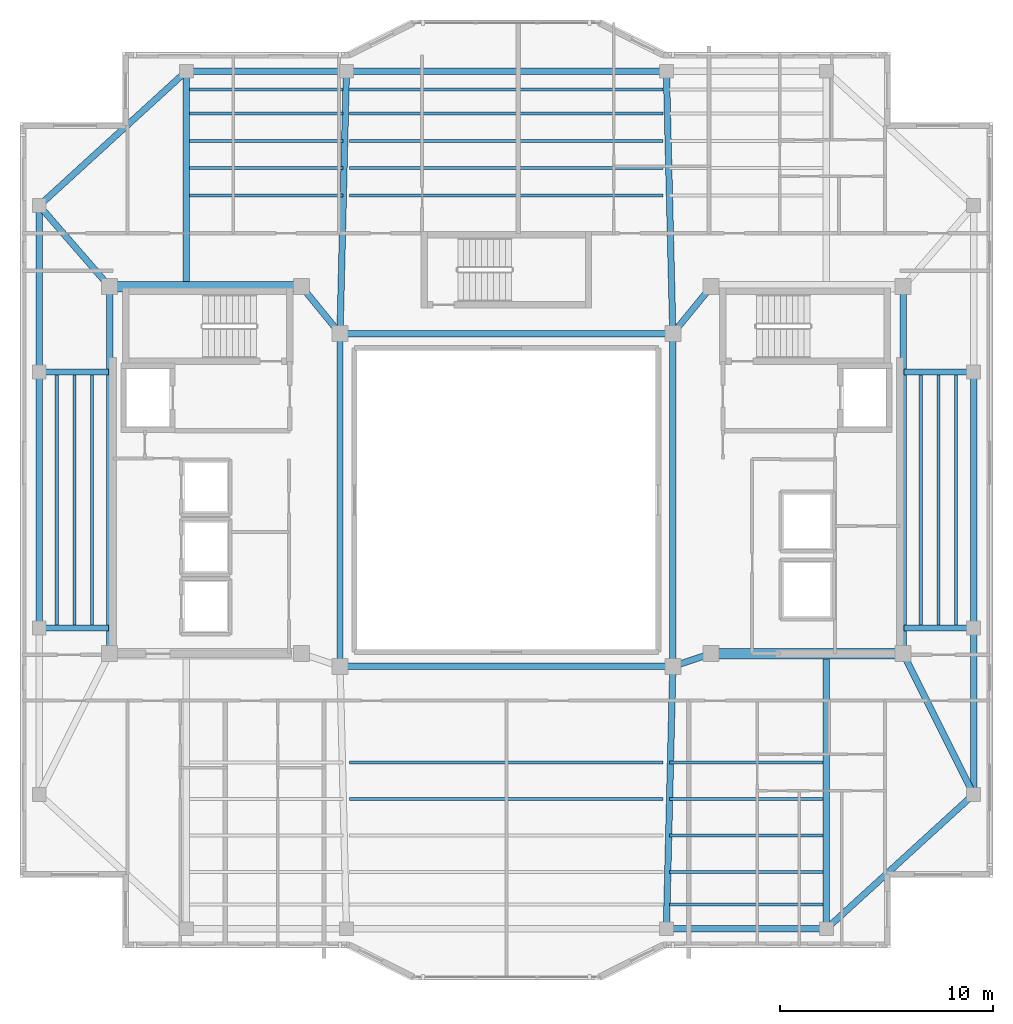
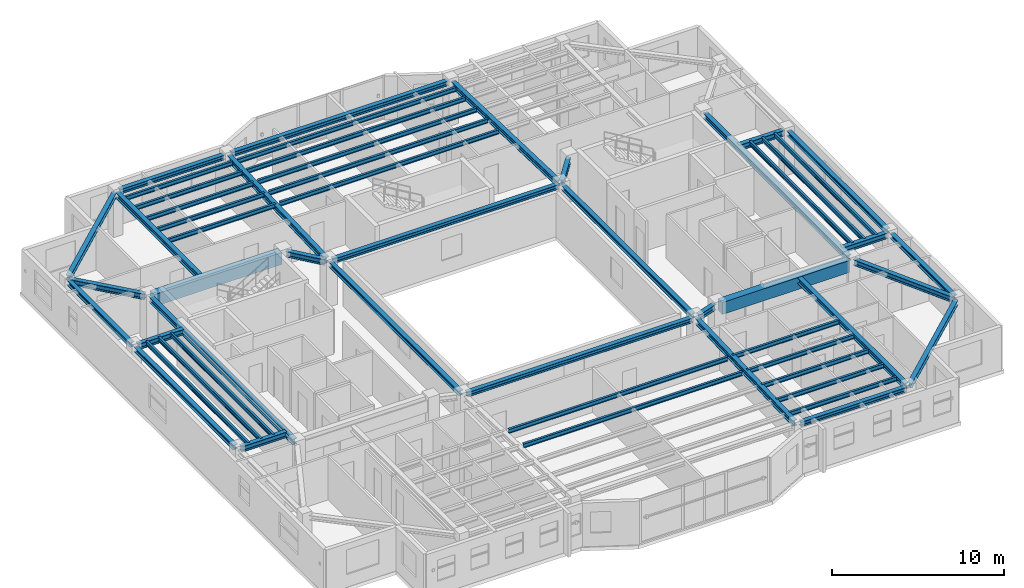
# One storey, part 3 of 14: 54 beams.
"""IFC4 building model written with IfcOpenShell, lengths in metres."""

import ifcopenshell
import ifcopenshell.guid

model = None  # the IFC model being written
_history = None  # IfcOwnerHistory: only IFC2X3 demands one
_inside = {}  # id of a spatial element -> (the spatial element, [elements in it])
_under = {}  # id of a project, library or spatial element -> (it, [spatial elements below it])
_declared = {}  # id of a project -> (the project, [libraries it declares])
_typed = {}  # id of a type object -> (the type object, [elements of that type])
_made_of = {}  # id of a material, layer set ... -> (it, [elements and type objects made of it])


def new_model(schema):
    """Start an empty IFC model of exactly this schema.

    Asked for "IFC4X3", IfcOpenShell would pick the latest addendum, in which some entities
    have other attributes; the version numbers below select the first issue.
    IFC2X3 requires an IfcOwnerHistory on every rooted entity: one is made here for all.
    """
    global model, _history
    if schema == "IFC4X3":
        model = ifcopenshell.file(schema_version=(4, 3, 0, 0))
    else:
        model = ifcopenshell.file(schema=schema)
    _inside.clear()
    _under.clear()
    _declared.clear()
    _typed.clear()
    _made_of.clear()
    _history = None
    if model.schema == "IFC2X3":
        org = make("IfcOrganization", Name="unknown")
        user = make(
            "IfcPersonAndOrganization",
            ThePerson=make("IfcPerson", FamilyName="unknown"),
            TheOrganization=org,
        )
        app = make(
            "IfcApplication",
            ApplicationDeveloper=org,
            Version="unknown",
            ApplicationFullName="unknown",
            ApplicationIdentifier="unknown",
        )
        _history = make(
            "IfcOwnerHistory",
            OwningUser=user,
            OwningApplication=app,
            ChangeAction="ADDED",
            CreationDate=0,
        )
    return model


def make(cls, **values):
    """One entity of the class cls with the attributes given. An attribute that is None is left unset."""
    return model.create_entity(
        cls, **{name: value for name, value in values.items() if value is not None}
    )


def rooted(cls, **values):
    """An entity with a GlobalId (a new one), such as an element, a storey or a relation."""
    return make(cls, GlobalId=ifcopenshell.guid.new(), OwnerHistory=_history, **values)


def si_unit(unit_type, name, prefix=None):
    """IfcSIUnit, for example si_unit("LENGTHUNIT", "METRE", prefix="MILLI")."""
    return make("IfcSIUnit", UnitType=unit_type, Prefix=prefix, Name=name)


def assignment(units):
    """IfcUnitAssignment: the units of a project."""
    return None if units is None else make("IfcUnitAssignment", Units=units)


def point(xyz):
    """IfcCartesianPoint."""
    return None if xyz is None else make("IfcCartesianPoint", Coordinates=xyz)


def direction(xyz):
    """IfcDirection."""
    return None if xyz is None else make("IfcDirection", DirectionRatios=xyz)


def frame(location, z_axis=None, x_axis=None):
    """IfcAxis2Placement3D, a coordinate frame: its origin and axes. An axis left out is left unset."""
    return make(
        "IfcAxis2Placement3D",
        Location=point(location),
        Axis=direction(z_axis),
        RefDirection=direction(x_axis),
    )


def frame_2d(location, x_axis=None):
    """IfcAxis2Placement2D, a coordinate frame in the plane: its origin and x axis."""
    return make(
        "IfcAxis2Placement2D", Location=point(location), RefDirection=direction(x_axis)
    )


def origin():
    """The frame at (0, 0, 0) with its axes left unset."""
    return frame((0.0, 0.0, 0.0))


def origin_2d():
    """The frame at (0, 0) in the plane with its x axis left unset."""
    return frame_2d((0.0, 0.0))


def place(relative_to, where):
    """IfcLocalPlacement: puts the frame where relative to a parent placement (None: the world)."""
    return make(
        "IfcLocalPlacement", PlacementRelTo=relative_to, RelativePlacement=where
    )


def context(
    kind, dimensions, precision=None, world=None, true_north=None, identifier=None
):
    """IfcGeometricRepresentationContext, for example the 3D "Model" context."""
    return make(
        "IfcGeometricRepresentationContext",
        ContextIdentifier=identifier,
        ContextType=kind,
        CoordinateSpaceDimension=dimensions,
        Precision=precision,
        WorldCoordinateSystem=world,
        TrueNorth=true_north,
    )


def subcontext(parent, identifier, kind, view, scale=None):
    """IfcGeometricRepresentationSubContext, for example "Body" below "Model"."""
    return make(
        "IfcGeometricRepresentationSubContext",
        ContextIdentifier=identifier,
        ContextType=kind,
        ParentContext=parent,
        TargetScale=scale,
        TargetView=view,
    )


def project(units=None, contexts=None):
    """IfcProject with its units and contexts."""
    return rooted(
        "IfcProject",
        Name="project",
        RepresentationContexts=contexts,
        UnitsInContext=assignment(units),
    )


def spatial(cls, under=None, at=None, **own):
    """A site, building, storey or space (cls), placed at a placement, below another one or the project."""
    s = rooted(cls, ObjectPlacement=at, **own)
    if under is not None:
        _under.setdefault(under.id(), (under, []))[1].append(s)
    return s


def profile(cls, at=None, kind="AREA", **sizes):
    """A parametric profile (cls). Its sizes go by their IFC names, for example OverallWidth=200.0."""
    return make(cls, ProfileType=kind, Position=at, **sizes)


def rectangle(**sizes):
    """IfcRectangleProfileDef."""
    return profile("IfcRectangleProfileDef", **sizes)


def i_section(**sizes):
    """IfcIShapeProfileDef."""
    return profile("IfcIShapeProfileDef", **sizes)


def extrude(swept, where, along, depth):
    """IfcExtrudedAreaSolid: the profile swept, set in the frame where, extruded along a direction by depth."""
    return make(
        "IfcExtrudedAreaSolid",
        SweptArea=swept,
        Position=where,
        ExtrudedDirection=direction(along),
        Depth=depth,
    )


def shape(context_of_items, identifier, shape_type, items):
    """IfcShapeRepresentation: the items that make up one representation, for example the "Body"."""
    return make(
        "IfcShapeRepresentation",
        ContextOfItems=context_of_items,
        RepresentationIdentifier=identifier,
        RepresentationType=shape_type,
        Items=items,
    )


def material(Name=None, Category=None):
    """IfcMaterial."""
    return make("IfcMaterial", Name=Name, Category=Category)


def material_profile(
    of_material, cross_section, Name=None, Category=None, Priority=None
):
    """IfcMaterialProfile: a cross section and its material."""
    return make(
        "IfcMaterialProfile",
        Name=Name,
        Material=of_material,
        Profile=cross_section,
        Priority=Priority,
        Category=Category,
    )


def profile_set(profiles, Name=None, composite=None):
    """IfcMaterialProfileSet."""
    return make(
        "IfcMaterialProfileSet",
        Name=Name,
        MaterialProfiles=profiles,
        CompositeProfile=composite,
    )


def made_of(thing, what):
    """Note that an element or type object is made of a material, layer set ...; save() writes the relation."""
    if what is not None:
        _made_of.setdefault(what.id(), (what, []))[1].append(thing)
    return thing


def type_object(cls, material=None, **own):
    """A type object (cls), such as IfcWallType, which elements share."""
    return made_of(rooted(cls, **own), material)


def element(
    cls,
    number,
    at=None,
    inside=None,
    cuts=None,
    type_object=None,
    material=None,
    context=None,
    identifier="Body",
    shape_type=None,
    held_by="IfcProductDefinitionShape",
    body=None,
    shapes=None,
    **own,
):
    """One element of the class cls, such as IfcWall. Its Tag is "e" and its number.

    at: its placement. inside: the storey or other place that contains it. cuts: it is an
    opening in that element (IfcRelVoidsElement). A single representation is given by context,
    identifier, shape_type and body (its items); several are given by shapes. held_by: the class
    of the entity that holds the representations. save() writes the other relations.
    """
    e = rooted(cls, Tag="e%d" % number, ObjectPlacement=at, **own)
    if body is not None:
        shapes = [shape(context, identifier, shape_type, body)]
    if shapes is not None:
        e.Representation = make(held_by, Representations=shapes)
    if inside is not None:
        _inside.setdefault(inside.id(), (inside, []))[1].append(e)
    if cuts is not None:
        rooted(
            "IfcRelVoidsElement", RelatingBuildingElement=cuts, RelatedOpeningElement=e
        )
    if type_object is not None:
        _typed.setdefault(type_object.id(), (type_object, []))[1].append(e)
    return made_of(e, material)


def aggregate(whole, parts):
    """IfcRelAggregates: a whole, such as a stair, and the parts it consists of."""
    return rooted("IfcRelAggregates", RelatingObject=whole, RelatedObjects=parts)


def save(model, path):
    """Write the relations noted so far, then the file.

    IfcRelAggregates (storeys below a building ...), IfcRelContainedInSpatialStructure (elements
    in a storey), IfcRelDefinesByType, IfcRelAssociatesMaterial and IfcRelDeclares: one each for
    every whole, place, type object, material and project.
    """
    for whole, parts in _under.values():
        aggregate(whole, parts)
    for where, things in _inside.values():
        rooted(
            "IfcRelContainedInSpatialStructure",
            RelatedElements=things,
            RelatingStructure=where,
        )
    for kind, things in _typed.values():
        rooted("IfcRelDefinesByType", RelatedObjects=things, RelatingType=kind)
    for what, things in _made_of.values():
        rooted("IfcRelAssociatesMaterial", RelatedObjects=things, RelatingMaterial=what)
    for by, libraries in _declared.values():
        rooted("IfcRelDeclares", RelatingContext=by, RelatedDefinitions=libraries)
    model.write(path)


model = new_model("IFC4")

# Units and contexts
model_context = context("Model", 3, precision=1e-05, world=origin(), true_north=direction((0.0, 1.0)))
body_context = subcontext(model_context, "Body", "Model", "MODEL_VIEW")
ifc_project = project(units=[si_unit("LENGTHUNIT", "METRE"), si_unit("AREAUNIT", "SQUARE_METRE"), si_unit("VOLUMEUNIT", "CUBIC_METRE"), si_unit("PLANEANGLEUNIT", "RADIAN"), si_unit("MASSUNIT", "GRAM", prefix="KILO")], contexts=[model_context])

# Site, building, storey
site_placement = place(None, origin())
site = spatial("IfcSite", under=ifc_project, at=site_placement, CompositionType="ELEMENT")
building_placement = place(site_placement, origin())
building = spatial("IfcBuilding", under=site, at=building_placement, Name="Tarnavaz Court Tower", CompositionType="ELEMENT")
storey_placement = place(building_placement, frame((0.0, 0.0, 254.89990234375)))
storey = spatial("IfcBuildingStorey", under=building, at=storey_placement, Name="L69", CompositionType="ELEMENT", Elevation=254.89990234375)

# Beams
ifc_material_1 = material(Name="Concrete C50/60", Category="concrete")
ifc_material_profile_1 = material_profile(ifc_material_1, rectangle(XDim=0.5, YDim=0.85009765625, at=origin_2d()), Name="RC 500X850")
ifc_profile_set_1 = profile_set([ifc_material_profile_1], Name="Concrete C50/60")
beam_type_1 = type_object("IfcBeamType", Name="BM-CB850", PredefinedType="LINTEL", material=ifc_profile_set_1)
for number, where, z_axis, x_axis, name in (
    (1, (-18.3798828125, 10.0, 2.675048828125), (1.0, 0.0, 0.0), (0.0, 1.0, 0.0), "L69 Beam IN-CW-NO-CW-NI"),
    (2, (18.3798828125, -7.199951171875, 2.675048828125), (-1.0, 0.0, 0.0), (0.0, -1.0, 0.0), "L69 Beam IN-CE-SO-CE-SI"),
):
    element("IfcBeam", number, at=place(storey_placement, frame(where, z_axis=z_axis, x_axis=x_axis)), inside=storey, type_object=beam_type_1, Name=name, PredefinedType="LINTEL", context=body_context, shape_type="SweptSolid", body=[
        extrude(rectangle(XDim=0.5, YDim=0.85009765625, at=origin_2d()), origin(), (0.0, 0.0, 1.0), 8.559814453125),
    ])
ifc_material_2 = material(Name="Steel S355", Category="steel")
ifc_material_profile_2 = material_profile(ifc_material_2, i_section(OverallWidth=0.300048828125, OverallDepth=0.39990234375, WebThickness=0.013427734375, FlangeThickness=0.02392578125, FilletRadius=0.027099609375, at=origin_2d()), Name="HEB 400")
ifc_profile_set_2 = profile_set([ifc_material_profile_2], Name="Steel S355")
beam_type_2 = type_object("IfcBeamType", Name="BM-G-HEB400", PredefinedType="USERDEFINED", material=ifc_profile_set_2)
beam_1_placement = place(storey_placement, frame((9.391357421875, -7.26953125, 2.900146484375), z_axis=(-0.948666544706, -0.316278021615, 0.0), x_axis=(0.316278021615, -0.948666544706, 0.0)))
element("IfcBeam", 3, at=beam_1_placement, inside=storey, type_object=beam_type_2, Name="L69 Beam IN-CE-SI-IW-SE", ObjectType="GIRDER", PredefinedType="USERDEFINED", context=body_context, shape_type="SweptSolid", body=[
    extrude(i_section(OverallWidth=0.300048828125, OverallDepth=0.39990234375, WebThickness=0.013427734375, FlangeThickness=0.02392578125, FilletRadius=0.027099609375, at=origin_2d()), origin(), (0.0, 0.0, 1.0), 1.457275390625),
])
for number, where, z_axis, x_axis, name in (
    (4, (-9.460693359375, 9.82958984375, 2.900146484375), (0.633282058357, -0.773921077735, 0.0), (0.773921077735, 0.633282058357, 0.0), "L69 Beam IN-CW-NI-IW-NW"),
    (5, (9.460693359375, 9.82958984375, 2.900146484375), (-0.633282058357, -0.773921077735, 0.0), (0.773921077735, -0.633282058357, 0.0), "L69 Beam IN-CE-NI-IW-NE"),
):
    element("IfcBeam", number, at=place(storey_placement, frame(where, z_axis=z_axis, x_axis=x_axis)), inside=storey, type_object=beam_type_2, Name=name, ObjectType="GIRDER", PredefinedType="USERDEFINED", context=body_context, shape_type="SweptSolid", body=[
        extrude(i_section(OverallWidth=0.300048828125, OverallDepth=0.39990234375, WebThickness=0.013427734375, FlangeThickness=0.02392578125, FilletRadius=0.027099609375, at=origin_2d()), origin(), (0.0, 0.0, 1.0), 2.402587890625),
    ])
for number, where, z_axis, x_axis, name in (
    (6, (-18.60009765625, -6.97998046875, 2.900146484375), (0.0, 1.0, 0.0), (-1.0, 0.0, 0.0), "L69 Beam IN-CW-SO-CW-NO"),
    (7, (18.60009765625, -6.97998046875, 2.900146484375), (0.0, 1.0, 0.0), (-1.0, 0.0, 0.0), "L69 Beam IN-CE-SO-CE-NO"),
):
    element("IfcBeam", number, at=place(storey_placement, frame(where, z_axis=z_axis, x_axis=x_axis)), inside=storey, type_object=beam_type_2, Name=name, ObjectType="GIRDER", PredefinedType="USERDEFINED", context=body_context, shape_type="SweptSolid", body=[
        extrude(i_section(OverallWidth=0.300048828125, OverallDepth=0.39990234375, WebThickness=0.013427734375, FlangeThickness=0.02392578125, FilletRadius=0.027099609375, at=origin_2d()), origin(), (0.0, 0.0, 1.0), 16.760009765625),
    ])
beam_2_placement = place(storey_placement, frame((-15.0, 10.0400390625, 2.900146484375), z_axis=(0.0, 1.0, 0.0), x_axis=(-1.0, 0.0, 0.0)))
element("IfcBeam", 8, at=beam_2_placement, inside=storey, type_object=beam_type_2, Name="L69 Beam RG-01", ObjectType="GIRDER", PredefinedType="USERDEFINED", context=body_context, shape_type="SweptSolid", body=[
    extrude(i_section(OverallWidth=0.300048828125, OverallDepth=0.39990234375, WebThickness=0.013427734375, FlangeThickness=0.02392578125, FilletRadius=0.027099609375, at=origin_2d()), origin(), (0.0, 0.0, 1.0), 9.83984375),
])
for number, where, z_axis, x_axis, name in (
    (9, (-7.794677734375, 8.02001953125, 2.900146484375), (0.024386002211, 0.99970261723, 0.0), (-0.99970261723, 0.024386002211, 0.0), "L69 Beam RG-02"),
    (10, (7.794677734375, 8.02001953125, 2.900146484375), (-0.024386002211, 0.99970261723, 0.0), (-0.99970261723, -0.024386002211, 0.0), "L69 Beam RG-03"),
    (11, (7.794677734375, -8.02001953125, 2.900146484375), (-0.024386002211, -0.99970261723, 0.0), (0.99970261723, -0.024386002211, 0.0), "L69 Beam RG-07"),
):
    element("IfcBeam", number, at=place(storey_placement, frame(where, z_axis=z_axis, x_axis=x_axis)), inside=storey, type_object=beam_type_2, Name=name, ObjectType="GIRDER", PredefinedType="USERDEFINED", context=body_context, shape_type="SweptSolid", body=[
        extrude(i_section(OverallWidth=0.300048828125, OverallDepth=0.39990234375, WebThickness=0.013427734375, FlangeThickness=0.02392578125, FilletRadius=0.027099609375, at=origin_2d()), origin(), (0.0, 0.0, 1.0), 11.863525390625),
    ])
beam_3_placement = place(storey_placement, frame((15.0, -7.239990234375, 2.900146484375), z_axis=(0.0, -1.0, 0.0), x_axis=(1.0, 0.0, 0.0)))
element("IfcBeam", 12, at=beam_3_placement, inside=storey, type_object=beam_type_2, Name="L69 Beam RG-08", ObjectType="GIRDER", PredefinedType="USERDEFINED", context=body_context, shape_type="SweptSolid", body=[
    extrude(i_section(OverallWidth=0.300048828125, OverallDepth=0.39990234375, WebThickness=0.013427734375, FlangeThickness=0.02392578125, FilletRadius=0.027099609375, at=origin_2d()), origin(), (0.0, 0.0, 1.0), 12.639892578125),
])
for number, where, z_axis, x_axis, name in (
    (13, (18.639892578125, -6.0, 2.900146484375), (1.0, 0.0, 0.0), (0.0, 1.0, 0.0), "L69 Beam RG-09"),
    (14, (18.639892578125, 6.0, 2.900146484375), (1.0, 0.0, 0.0), (0.0, 1.0, 0.0), "L69 Beam RG-10"),
):
    element("IfcBeam", number, at=place(storey_placement, frame(where, z_axis=z_axis, x_axis=x_axis)), inside=storey, type_object=beam_type_2, Name=name, ObjectType="GIRDER", PredefinedType="USERDEFINED", context=body_context, shape_type="SweptSolid", body=[
        extrude(i_section(OverallWidth=0.300048828125, OverallDepth=0.39990234375, WebThickness=0.013427734375, FlangeThickness=0.02392578125, FilletRadius=0.027099609375, at=origin_2d()), origin(), (0.0, 0.0, 1.0), 3.0400390625),
    ])
beam_4_placement = place(storey_placement, frame((18.698486328125, -7.396728515625, 2.900146484375), z_axis=(0.447185448279, -0.894441264057, 0.0), x_axis=(0.894441264057, 0.447185448279, 0.0)))
element("IfcBeam", 15, at=beam_4_placement, inside=storey, type_object=beam_type_2, Name="L69 Beam RG-11", ObjectType="GIRDER", PredefinedType="USERDEFINED", context=body_context, shape_type="SweptSolid", body=[
    extrude(i_section(OverallWidth=0.300048828125, OverallDepth=0.39990234375, WebThickness=0.013427734375, FlangeThickness=0.02392578125, FilletRadius=0.027099609375, at=origin_2d()), origin(), (0.0, 0.0, 1.0), 6.93896484375),
])
for number, where, z_axis, x_axis, name in (
    (16, (-18.639892578125, -6.0, 2.900146484375), (-1.0, 0.0, 0.0), (0.0, -1.0, 0.0), "L69 Beam RG-13"),
    (17, (-18.639892578125, 6.0, 2.900146484375), (-1.0, 0.0, 0.0), (0.0, -1.0, 0.0), "L69 Beam RG-14"),
):
    element("IfcBeam", number, at=place(storey_placement, frame(where, z_axis=z_axis, x_axis=x_axis)), inside=storey, type_object=beam_type_2, Name=name, ObjectType="GIRDER", PredefinedType="USERDEFINED", context=body_context, shape_type="SweptSolid", body=[
        extrude(i_section(OverallWidth=0.300048828125, OverallDepth=0.39990234375, WebThickness=0.013427734375, FlangeThickness=0.02392578125, FilletRadius=0.027099609375, at=origin_2d()), origin(), (0.0, 0.0, 1.0), 3.0400390625),
    ])
beam_5_placement = place(storey_placement, frame((-18.744384765625, 10.166015625, 2.900146484375), z_axis=(-0.65565475567, 0.755060819648, 0.0), x_axis=(-0.755060819648, -0.65565475567, 0.0)))
element("IfcBeam", 18, at=beam_5_placement, inside=storey, type_object=beam_type_2, Name="L69 Beam RG-16", ObjectType="GIRDER", PredefinedType="USERDEFINED", context=body_context, shape_type="SweptSolid", body=[
    extrude(i_section(OverallWidth=0.300048828125, OverallDepth=0.39990234375, WebThickness=0.013427734375, FlangeThickness=0.02392578125, FilletRadius=0.027099609375, at=origin_2d()), origin(), (0.0, 0.0, 1.0), 4.5927734375),
])
ifc_material_profile_3 = material_profile(ifc_material_2, i_section(OverallWidth=0.14990234375, OverallDepth=0.300048828125, WebThickness=0.007080078125, FlangeThickness=0.0107421875, FilletRadius=0.014892578125, at=origin_2d()), Name="IPE 300")
ifc_profile_set_3 = profile_set([ifc_material_profile_3], Name="Steel S355")
beam_type_3 = type_object("IfcBeamType", Name="BM-J-IPE300", PredefinedType="JOIST", material=ifc_profile_set_3)
beam_6_placement = place(storey_placement, frame((-14.85009765625, 14.278076171875, 2.9501953125), z_axis=(1.0, 0.0, 0.0), x_axis=(0.0, 1.0, 0.0)))
element("IfcBeam", 19, at=beam_6_placement, inside=storey, type_object=beam_type_3, Name="L69 Beam JN1-1", PredefinedType="JOIST", context=body_context, shape_type="SweptSolid", body=[
    extrude(i_section(OverallWidth=0.14990234375, OverallDepth=0.300048828125, WebThickness=0.007080078125, FlangeThickness=0.0107421875, FilletRadius=0.014892578125, at=origin_2d()), origin(), (0.0, 0.0, 1.0), 7.2001953125),
])
for number, where, z_axis, x_axis, name in (
    (20, (-7.35009765625, 14.278076171875, 2.9501953125), (1.0, 0.0, 0.0), (0.0, 1.0, 0.0), "L69 Beam JN1-2"),
    (21, (-7.35009765625, -12.31005859375, 2.9501953125), (1.0, 0.0, 0.0), (0.0, 1.0, 0.0), "L69 Beam JS1-2"),
):
    element("IfcBeam", number, at=place(storey_placement, frame(where, z_axis=z_axis, x_axis=x_axis)), inside=storey, type_object=beam_type_3, Name=name, PredefinedType="JOIST", context=body_context, shape_type="SweptSolid", body=[
        extrude(i_section(OverallWidth=0.14990234375, OverallDepth=0.300048828125, WebThickness=0.007080078125, FlangeThickness=0.0107421875, FilletRadius=0.014892578125, at=origin_2d()), origin(), (0.0, 0.0, 1.0), 14.7001953125),
    ])
for number, where, z_axis, x_axis, name in (
    (22, (7.64990234375, -12.31005859375, 2.9501953125), (1.0, 0.0, 0.0), (0.0, 1.0, 0.0), "L69 Beam JS1-3"),
    (23, (-14.85009765625, 15.555908203125, 2.9501953125), (1.0, 0.0, 0.0), (0.0, 1.0, 0.0), "L69 Beam JN2-1"),
):
    element("IfcBeam", number, at=place(storey_placement, frame(where, z_axis=z_axis, x_axis=x_axis)), inside=storey, type_object=beam_type_3, Name=name, PredefinedType="JOIST", context=body_context, shape_type="SweptSolid", body=[
        extrude(i_section(OverallWidth=0.14990234375, OverallDepth=0.300048828125, WebThickness=0.007080078125, FlangeThickness=0.0107421875, FilletRadius=0.014892578125, at=origin_2d()), origin(), (0.0, 0.0, 1.0), 7.2001953125),
    ])
for number, where, z_axis, x_axis, name in (
    (24, (-7.35009765625, 15.555908203125, 2.9501953125), (1.0, 0.0, 0.0), (0.0, 1.0, 0.0), "L69 Beam JN2-2"),
    (25, (-7.35009765625, -14.02001953125, 2.9501953125), (1.0, 0.0, 0.0), (0.0, 1.0, 0.0), "L69 Beam JS2-2"),
):
    element("IfcBeam", number, at=place(storey_placement, frame(where, z_axis=z_axis, x_axis=x_axis)), inside=storey, type_object=beam_type_3, Name=name, PredefinedType="JOIST", context=body_context, shape_type="SweptSolid", body=[
        extrude(i_section(OverallWidth=0.14990234375, OverallDepth=0.300048828125, WebThickness=0.007080078125, FlangeThickness=0.0107421875, FilletRadius=0.014892578125, at=origin_2d()), origin(), (0.0, 0.0, 1.0), 14.7001953125),
    ])
for number, where, z_axis, x_axis, name in (
    (26, (7.64990234375, -14.02001953125, 2.9501953125), (1.0, 0.0, 0.0), (0.0, 1.0, 0.0), "L69 Beam JS2-3"),
    (27, (-14.85009765625, 16.833984375, 2.9501953125), (1.0, 0.0, 0.0), (0.0, 1.0, 0.0), "L69 Beam JN3-1"),
):
    element("IfcBeam", number, at=place(storey_placement, frame(where, z_axis=z_axis, x_axis=x_axis)), inside=storey, type_object=beam_type_3, Name=name, PredefinedType="JOIST", context=body_context, shape_type="SweptSolid", body=[
        extrude(i_section(OverallWidth=0.14990234375, OverallDepth=0.300048828125, WebThickness=0.007080078125, FlangeThickness=0.0107421875, FilletRadius=0.014892578125, at=origin_2d()), origin(), (0.0, 0.0, 1.0), 7.2001953125),
    ])
beam_7_placement = place(storey_placement, frame((-7.35009765625, 16.833984375, 2.9501953125), z_axis=(1.0, 0.0, 0.0), x_axis=(0.0, 1.0, 0.0)))
element("IfcBeam", 28, at=beam_7_placement, inside=storey, type_object=beam_type_3, Name="L69 Beam JN3-2", PredefinedType="JOIST", context=body_context, shape_type="SweptSolid", body=[
    extrude(i_section(OverallWidth=0.14990234375, OverallDepth=0.300048828125, WebThickness=0.007080078125, FlangeThickness=0.0107421875, FilletRadius=0.014892578125, at=origin_2d()), origin(), (0.0, 0.0, 1.0), 14.7001953125),
])
for number, where, z_axis, x_axis, name in (
    (29, (7.64990234375, -15.72998046875, 2.9501953125), (1.0, 0.0, 0.0), (0.0, 1.0, 0.0), "L69 Beam JS3-3"),
    (30, (-14.85009765625, 18.112060546875, 2.9501953125), (1.0, 0.0, 0.0), (0.0, 1.0, 0.0), "L69 Beam JN4-1"),
):
    element("IfcBeam", number, at=place(storey_placement, frame(where, z_axis=z_axis, x_axis=x_axis)), inside=storey, type_object=beam_type_3, Name=name, PredefinedType="JOIST", context=body_context, shape_type="SweptSolid", body=[
        extrude(i_section(OverallWidth=0.14990234375, OverallDepth=0.300048828125, WebThickness=0.007080078125, FlangeThickness=0.0107421875, FilletRadius=0.014892578125, at=origin_2d()), origin(), (0.0, 0.0, 1.0), 7.2001953125),
    ])
beam_8_placement = place(storey_placement, frame((-7.35009765625, 18.112060546875, 2.9501953125), z_axis=(1.0, 0.0, 0.0), x_axis=(0.0, 1.0, 0.0)))
element("IfcBeam", 31, at=beam_8_placement, inside=storey, type_object=beam_type_3, Name="L69 Beam JN4-2", PredefinedType="JOIST", context=body_context, shape_type="SweptSolid", body=[
    extrude(i_section(OverallWidth=0.14990234375, OverallDepth=0.300048828125, WebThickness=0.007080078125, FlangeThickness=0.0107421875, FilletRadius=0.014892578125, at=origin_2d()), origin(), (0.0, 0.0, 1.0), 14.7001953125),
])
for number, where, z_axis, x_axis, name in (
    (32, (7.64990234375, -17.43994140625, 2.9501953125), (1.0, 0.0, 0.0), (0.0, 1.0, 0.0), "L69 Beam JS4-3"),
    (33, (-14.85009765625, 19.248046875, 2.9501953125), (1.0, 0.0, 0.0), (0.0, 1.0, 0.0), "L69 Beam JN5-1"),
):
    element("IfcBeam", number, at=place(storey_placement, frame(where, z_axis=z_axis, x_axis=x_axis)), inside=storey, type_object=beam_type_3, Name=name, PredefinedType="JOIST", context=body_context, shape_type="SweptSolid", body=[
        extrude(i_section(OverallWidth=0.14990234375, OverallDepth=0.300048828125, WebThickness=0.007080078125, FlangeThickness=0.0107421875, FilletRadius=0.014892578125, at=origin_2d()), origin(), (0.0, 0.0, 1.0), 7.2001953125),
    ])
beam_9_placement = place(storey_placement, frame((-7.35009765625, 19.248046875, 2.9501953125), z_axis=(1.0, 0.0, 0.0), x_axis=(0.0, 1.0, 0.0)))
element("IfcBeam", 34, at=beam_9_placement, inside=storey, type_object=beam_type_3, Name="L69 Beam JN5-2", PredefinedType="JOIST", context=body_context, shape_type="SweptSolid", body=[
    extrude(i_section(OverallWidth=0.14990234375, OverallDepth=0.300048828125, WebThickness=0.007080078125, FlangeThickness=0.0107421875, FilletRadius=0.014892578125, at=origin_2d()), origin(), (0.0, 0.0, 1.0), 14.7001953125),
])
beam_10_placement = place(storey_placement, frame((7.64990234375, -18.9599609375, 2.9501953125), z_axis=(1.0, 0.0, 0.0), x_axis=(0.0, 1.0, 0.0)))
element("IfcBeam", 35, at=beam_10_placement, inside=storey, type_object=beam_type_3, Name="L69 Beam JS5-3", PredefinedType="JOIST", context=body_context, shape_type="SweptSolid", body=[
    extrude(i_section(OverallWidth=0.14990234375, OverallDepth=0.300048828125, WebThickness=0.007080078125, FlangeThickness=0.0107421875, FilletRadius=0.014892578125, at=origin_2d()), origin(), (0.0, 0.0, 1.0), 7.2001953125),
])
for number, where, z_axis, x_axis, name in (
    (36, (19.425048828125, -5.9599609375, 2.9501953125), (0.0, 1.0, 0.0), (-1.0, 0.0, 0.0), "L69 Beam JE1"),
    (37, (-19.425048828125, -5.9599609375, 2.9501953125), (0.0, 1.0, 0.0), (-1.0, 0.0, 0.0), "L69 Beam JW1"),
    (38, (20.25, -5.9599609375, 2.9501953125), (0.0, 1.0, 0.0), (-1.0, 0.0, 0.0), "L69 Beam JE2"),
    (39, (-20.25, -5.9599609375, 2.9501953125), (0.0, 1.0, 0.0), (-1.0, 0.0, 0.0), "L69 Beam JW2"),
    (40, (21.074951171875, -5.9599609375, 2.9501953125), (0.0, 1.0, 0.0), (-1.0, 0.0, 0.0), "L69 Beam JE3"),
    (41, (-21.074951171875, -5.9599609375, 2.9501953125), (0.0, 1.0, 0.0), (-1.0, 0.0, 0.0), "L69 Beam JW3"),
):
    element("IfcBeam", number, at=place(storey_placement, frame(where, z_axis=z_axis, x_axis=x_axis)), inside=storey, type_object=beam_type_3, Name=name, PredefinedType="JOIST", context=body_context, shape_type="SweptSolid", body=[
        extrude(i_section(OverallWidth=0.14990234375, OverallDepth=0.300048828125, WebThickness=0.007080078125, FlangeThickness=0.0107421875, FilletRadius=0.014892578125, at=origin_2d()), origin(), (0.0, 0.0, 1.0), 11.919921875),
    ])
ifc_material_profile_4 = material_profile(ifc_material_2, i_section(OverallWidth=0.300048828125, OverallDepth=0.330078125, WebThickness=0.009521484375, FlangeThickness=0.0166015625, FilletRadius=0.027099609375, at=origin_2d()), Name="HEA 340")
ifc_profile_set_4 = profile_set([ifc_material_profile_4], Name="Steel S355")
beam_type_4 = type_object("IfcBeamType", Name="BM-SP-HEA340", PredefinedType="BEAM", material=ifc_profile_set_4)
for number, where, z_axis, x_axis, name in (
    (42, (-7.580078125, -7.800048828125, 2.93505859375), (1.0, 0.0, 0.0), (0.0, 1.0, 0.0), "L69 Beam IN-IW-SW-IW-SE"),
    (43, (-7.580078125, 7.800048828125, 2.93505859375), (1.0, 0.0, 0.0), (0.0, 1.0, 0.0), "L69 Beam IN-IW-NW-IW-NE"),
    (44, (-7.800048828125, -7.580078125, 2.93505859375), (0.0, 1.0, 0.0), (-1.0, 0.0, 0.0), "L69 Beam IN-IW-SW-IW-NW"),
    (45, (7.800048828125, -7.580078125, 2.93505859375), (0.0, 1.0, 0.0), (-1.0, 0.0, 0.0), "L69 Beam IN-IW-SE-IW-NE"),
):
    element("IfcBeam", number, at=place(storey_placement, frame(where, z_axis=z_axis, x_axis=x_axis)), inside=storey, type_object=beam_type_4, Name=name, PredefinedType="BEAM", context=body_context, shape_type="SweptSolid", body=[
        extrude(i_section(OverallWidth=0.300048828125, OverallDepth=0.330078125, WebThickness=0.009521484375, FlangeThickness=0.0166015625, FilletRadius=0.027099609375, at=origin_2d()), origin(), (0.0, 0.0, 1.0), 15.16015625),
    ])
beam_11_placement = place(storey_placement, frame((-14.780029296875, 20.10009765625, 2.93505859375), z_axis=(1.0, 0.0, 0.0), x_axis=(0.0, 1.0, 0.0)))
element("IfcBeam", 46, at=beam_11_placement, inside=storey, type_object=beam_type_4, Name="L69 Beam PR-PN-1-PN-2", PredefinedType="BEAM", context=body_context, shape_type="SweptSolid", body=[
    extrude(i_section(OverallWidth=0.300048828125, OverallDepth=0.330078125, WebThickness=0.009521484375, FlangeThickness=0.0166015625, FilletRadius=0.027099609375, at=origin_2d()), origin(), (0.0, 0.0, 1.0), 7.06005859375),
])
beam_12_placement = place(storey_placement, frame((-7.280029296875, 20.10009765625, 2.93505859375), z_axis=(1.0, 0.0, 0.0), x_axis=(0.0, 1.0, 0.0)))
element("IfcBeam", 47, at=beam_12_placement, inside=storey, type_object=beam_type_4, Name="L69 Beam PR-PN-2-PN-3", PredefinedType="BEAM", context=body_context, shape_type="SweptSolid", body=[
    extrude(i_section(OverallWidth=0.300048828125, OverallDepth=0.330078125, WebThickness=0.009521484375, FlangeThickness=0.0166015625, FilletRadius=0.027099609375, at=origin_2d()), origin(), (0.0, 0.0, 1.0), 14.56005859375),
])
beam_13_placement = place(storey_placement, frame((7.719970703125, -20.10009765625, 2.93505859375), z_axis=(1.0, 0.0, 0.0), x_axis=(0.0, 1.0, 0.0)))
element("IfcBeam", 48, at=beam_13_placement, inside=storey, type_object=beam_type_4, Name="L69 Beam PR-PS-3-PS-4", PredefinedType="BEAM", context=body_context, shape_type="SweptSolid", body=[
    extrude(i_section(OverallWidth=0.300048828125, OverallDepth=0.330078125, WebThickness=0.009521484375, FlangeThickness=0.0166015625, FilletRadius=0.027099609375, at=origin_2d()), origin(), (0.0, 0.0, 1.0), 7.06005859375),
])
beam_14_placement = place(storey_placement, frame((21.89990234375, -13.580078125, 2.93505859375), z_axis=(0.0, 1.0, 0.0), x_axis=(-1.0, 0.0, 0.0)))
element("IfcBeam", 49, at=beam_14_placement, inside=storey, type_object=beam_type_4, Name="L69 Beam PR-PE-1-PE-2", PredefinedType="BEAM", context=body_context, shape_type="SweptSolid", body=[
    extrude(i_section(OverallWidth=0.300048828125, OverallDepth=0.330078125, WebThickness=0.009521484375, FlangeThickness=0.0166015625, FilletRadius=0.027099609375, at=origin_2d()), origin(), (0.0, 0.0, 1.0), 7.360107421875),
])
for number, where, z_axis, x_axis, name in (
    (50, (21.89990234375, -5.780029296875, 2.93505859375), (0.0, 1.0, 0.0), (-1.0, 0.0, 0.0), "L69 Beam PR-PE-2-PE-3"),
    (51, (-21.89990234375, -5.780029296875, 2.93505859375), (0.0, 1.0, 0.0), (-1.0, 0.0, 0.0), "L69 Beam PR-PW-2-PW-3"),
):
    element("IfcBeam", number, at=place(storey_placement, frame(where, z_axis=z_axis, x_axis=x_axis)), inside=storey, type_object=beam_type_4, Name=name, PredefinedType="BEAM", context=body_context, shape_type="SweptSolid", body=[
        extrude(i_section(OverallWidth=0.300048828125, OverallDepth=0.330078125, WebThickness=0.009521484375, FlangeThickness=0.0166015625, FilletRadius=0.027099609375, at=origin_2d()), origin(), (0.0, 0.0, 1.0), 11.56005859375),
    ])
beam_15_placement = place(storey_placement, frame((-21.89990234375, 6.219970703125, 2.93505859375), z_axis=(0.0, 1.0, 0.0), x_axis=(-1.0, 0.0, 0.0)))
element("IfcBeam", 52, at=beam_15_placement, inside=storey, type_object=beam_type_4, Name="L69 Beam PR-PW-3-PW-4", PredefinedType="BEAM", context=body_context, shape_type="SweptSolid", body=[
    extrude(i_section(OverallWidth=0.300048828125, OverallDepth=0.330078125, WebThickness=0.009521484375, FlangeThickness=0.0166015625, FilletRadius=0.027099609375, at=origin_2d()), origin(), (0.0, 0.0, 1.0), 7.360107421875),
])
for number, where, z_axis, x_axis, name in (
    (53, (21.737548828125, -13.9482421875, 2.93505859375), (-0.738474214476, -0.674281717499, 0.0), (0.674281717499, -0.738474214476, 0.0), "L69 Beam PR-PE-1-PS-4"),
    (54, (-21.737548828125, 13.9482421875, 2.93505859375), (0.738474214476, 0.674281717499, 0.0), (-0.674281717499, 0.738474214476, 0.0), "L69 Beam PR-PW-4-PN-1"),
):
    element("IfcBeam", number, at=place(storey_placement, frame(where, z_axis=z_axis, x_axis=x_axis)), inside=storey, type_object=beam_type_4, Name=name, PredefinedType="BEAM", context=body_context, shape_type="SweptSolid", body=[
        extrude(i_section(OverallWidth=0.300048828125, OverallDepth=0.330078125, WebThickness=0.009521484375, FlangeThickness=0.0166015625, FilletRadius=0.027099609375, at=origin_2d()), origin(), (0.0, 0.0, 1.0), 8.9033203125),
    ])

save(model, "model.ifc")
